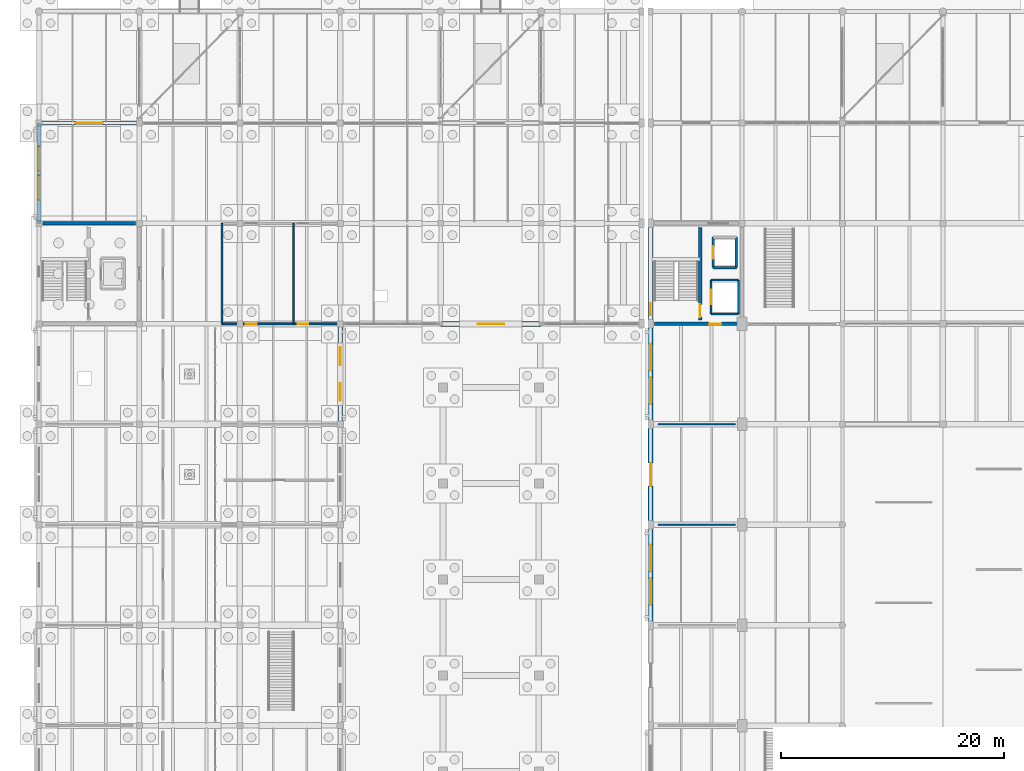
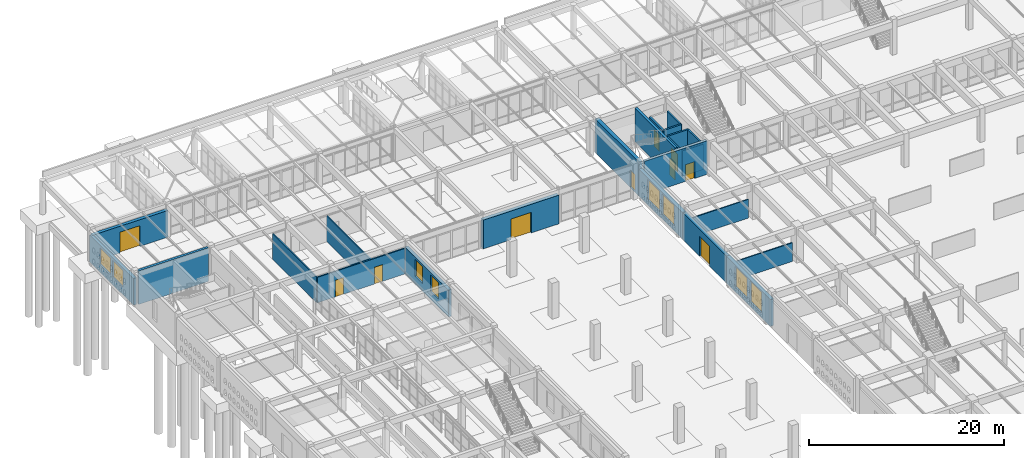
# One storey, part 164 of 186: 23 walls, 10 doors, 8 windows, 18 openings.
"""IFC4 building model written with IfcOpenShell, lengths in metres."""

from ifc_helpers import new_model, si_unit, direction, frame, frame_2d, origin, place, context, subcontext, project, spatial, rectangle, extrude, material, layer, layer_set, type_object, element, fill, save


model = new_model("IFC4")

# Units and contexts
model_context = context("Model", 3, precision=1e-05, world=origin(), true_north=direction((0.0, 1.0)))
body_context = subcontext(model_context, "Body", "Model", "MODEL_VIEW")
ifc_project = project(units=[si_unit("LENGTHUNIT", "METRE"), si_unit("AREAUNIT", "SQUARE_METRE"), si_unit("VOLUMEUNIT", "CUBIC_METRE"), si_unit("PLANEANGLEUNIT", "RADIAN"), si_unit("MASSUNIT", "GRAM", prefix="KILO")], contexts=[model_context])

# Site, building, storey
site_placement = place(None, origin())
site = spatial("IfcSite", under=ifc_project, at=site_placement, CompositionType="ELEMENT")
building_placement = place(site_placement, origin())
building = spatial("IfcBuilding", under=site, at=building_placement, Name="Ornek Quay Market", CompositionType="ELEMENT")
storey_placement = place(building_placement, origin())
storey = spatial("IfcBuildingStorey", under=building, at=storey_placement, Name="L00", CompositionType="ELEMENT", Elevation=0.0)

# Wall
ifc_material_1 = material(Name="Concrete C40/50", Category="concrete")
ifc_layer_1 = layer(ifc_material_1, 0.300048828125, Name="Concrete C40/50", Category="concrete")
ifc_layer_set_1 = layer_set([ifc_layer_1], Name="Concrete C40/50")
wall_type_1 = type_object("IfcWallType", Name="WL-CORE-300", PredefinedType="SHEAR", material=ifc_layer_set_1)
wall_1_placement = place(storey_placement, frame((0.35009765625, 101.0, 0.0), z_axis=(0.0, 0.0, 1.0), x_axis=(1.0, 0.0, 0.0)))
element("IfcWall", 1, at=wall_1_placement, inside=storey, type_object=wall_type_1, Name="Interior wall W-CORE1-004", PredefinedType="SHEAR", context=body_context, shape_type="SweptSolid", body=[
    extrude(rectangle(XDim=8.2998046875, YDim=0.300048828125, at=frame_2d((4.14990234375, 0.0))), origin(), (0.0, 0.0, 1.0), 4.219970703125),
])

# Wall, opening, door
wall_2_placement = place(storey_placement, frame((59.25, 92.35009765625, 0.0), z_axis=(0.0, 0.0, 1.0), x_axis=(0.0, 1.0, 0.0)))
wall_2 = element("IfcWall", 2, at=wall_2_placement, inside=storey, type_object=wall_type_1, Name="Interior wall W-CORE1-038", PredefinedType="SHEAR", context=body_context, shape_type="SweptSolid", body=[
    extrude(rectangle(XDim=8.2998046875, YDim=0.300048828125, at=frame_2d((4.14990234375, 0.0))), origin(), (0.0, 0.0, 1.0), 4.219970703125),
])
opening_1_placement = place(wall_2_placement, frame((0.25, 0.0, 0.0)))
opening_1 = element("IfcOpeningElement", 3, at=opening_1_placement, cuts=wall_2, Name="Opening FD-03-017", PredefinedType="OPENING", context=body_context, shape_type="SweptSolid", body=[
    extrude(rectangle(XDim=1.14990234375, YDim=2.14990234375, at=frame_2d((0.574951171875, 1.074951171875))), frame((0.0, 0.159912109375, 0.0), z_axis=(0.0, -1.0, 0.0), x_axis=(1.0, 0.0, 0.0)), (0.0, 0.0, 1.0), 0.320068359375),
])
ifc_material_2 = material(Name="Insulated fire-rated painted steel", Category="steel")
door_type_1 = type_object("IfcDoorType", Name="DR-FIRE-STAIR-1150x2150", OperationType="NOTDEFINED", PredefinedType="DOOR", material=ifc_material_2)
door_1_placement = place(opening_1_placement, origin())
door_1 = element("IfcDoor", 4, at=door_1_placement, inside=storey, type_object=door_type_1, Name="Interior door FD-03-017", OperationType="SINGLE_SWING_RIGHT", OverallHeight=2.14990234375, OverallWidth=1.14990234375, PredefinedType="DOOR", context=body_context, shape_type="SweptSolid", body=[
    extrude(rectangle(XDim=1.14990234375, YDim=2.14990234375, at=frame_2d((0.574951171875, 1.074951171875))), frame((0.0, 0.02490234375, 0.0), z_axis=(0.0, -1.0, 0.0), x_axis=(1.0, 0.0, 0.0)), (0.0, 0.0, 1.0), 0.050048828125),
])
fill(opening_1, door_1)

wall_3_placement = place(storey_placement, frame((55.14990234375, 92.0, 0.0), z_axis=(0.0, 0.0, 1.0), x_axis=(1.0, 0.0, 0.0)))
wall_3 = element("IfcWall", 5, at=wall_3_placement, inside=storey, type_object=wall_type_1, Name="Interior wall W-CORE1-040", PredefinedType="SHEAR", context=body_context, shape_type="SweptSolid", body=[
    extrude(rectangle(XDim=7.5, YDim=0.300048828125, at=frame_2d((3.75, 0.0))), origin(), (0.0, 0.0, 1.0), 4.219970703125),
])
opening_2_placement = place(wall_3_placement, frame((4.89990234375, 0.0, 0.0)))
opening_2 = element("IfcOpeningElement", 6, at=opening_2_placement, cuts=wall_3, Name="Opening FD-04-018", PredefinedType="OPENING", context=body_context, shape_type="SweptSolid", body=[
    extrude(rectangle(XDim=1.10009765625, YDim=2.10009765625, at=frame_2d((0.550048828125, 1.050048828125))), frame((0.0, 0.159912109375, 0.0), z_axis=(0.0, -1.0, 0.0), x_axis=(1.0, 0.0, 0.0)), (0.0, 0.0, 1.0), 0.320068359375),
])
door_type_2 = type_object("IfcDoorType", Name="DR-FIRE-LOBBY-1100x2100", OperationType="NOTDEFINED", PredefinedType="DOOR", material=ifc_material_2)
door_2_placement = place(opening_2_placement, origin())
door_2 = element("IfcDoor", 7, at=door_2_placement, inside=storey, type_object=door_type_2, Name="Interior door FD-04-018", OperationType="SINGLE_SWING_LEFT", OverallHeight=2.10009765625, OverallWidth=1.10009765625, PredefinedType="DOOR", context=body_context, shape_type="SweptSolid", body=[
    extrude(rectangle(XDim=1.10009765625, YDim=2.10009765625, at=frame_2d((0.550048828125, 1.050048828125))), frame((0.0, 0.02490234375, 0.0), z_axis=(0.0, -1.0, 0.0), x_axis=(1.0, 0.0, 0.0)), (0.0, 0.0, 1.0), 0.050048828125),
])
fill(opening_2, door_2)

ifc_material_3 = material(Name="Frost-resistant facing clay brick M200 F100", Category="masonry")
ifc_layer_2 = layer(ifc_material_3, 0.419921875, Name="Frost-resistant facing clay brick M200 F100", Category="masonry")
ifc_layer_set_2 = layer_set([ifc_layer_2], Name="Frost-resistant facing clay brick M200 F100")
wall_type_2 = type_object("IfcWallType", Name="WL-EXT-HALL-420", PredefinedType="STANDARD", material=ifc_layer_set_2)
wall_4_placement = place(storey_placement, frame((54.800048828125, 92.0, 0.0), z_axis=(0.0, 0.0, 1.0), x_axis=(0.0, 1.0, 0.0)))
wall_4 = element("IfcWall", 8, at=wall_4_placement, inside=storey, type_object=wall_type_2, Name="Exterior wall EW-110", PredefinedType="STANDARD", context=body_context, shape_type="SweptSolid", body=[
    extrude(rectangle(XDim=9.0, YDim=0.419921875, at=frame_2d((4.5, 0.0))), origin(), (0.0, 0.0, 1.0), 4.239990234375),
])
opening_3_placement = place(wall_4_placement, frame((0.75, 0.0, 0.0)))
opening_3 = element("IfcOpeningElement", 9, at=opening_3_placement, cuts=wall_4, Name="Opening ED-05-028", PredefinedType="OPENING", context=body_context, shape_type="SweptSolid", body=[
    extrude(rectangle(XDim=1.10009765625, YDim=2.199951171875, at=frame_2d((0.550048828125, 1.10009765625))), frame((0.0, 0.219970703125, 0.0), z_axis=(0.0, -1.0, 0.0), x_axis=(1.0, 0.0, 0.0)), (0.0, 0.0, 1.0), 0.43994140625),
])
ifc_material_4 = material(Name="Insulated painted steel", Category="steel")
door_type_3 = type_object("IfcDoorType", Name="DR-EXT-SGL-1100x2200", OperationType="NOTDEFINED", PredefinedType="DOOR", material=ifc_material_4)
door_3_placement = place(opening_3_placement, origin())
door_3 = element("IfcDoor", 10, at=door_3_placement, inside=storey, type_object=door_type_3, Name="Exterior door ED-05-028", OperationType="SINGLE_SWING_LEFT", OverallHeight=2.199951171875, OverallWidth=1.10009765625, PredefinedType="DOOR", context=body_context, shape_type="SweptSolid", body=[
    extrude(rectangle(XDim=1.10009765625, YDim=2.199951171875, at=frame_2d((0.550048828125, 1.10009765625))), frame((0.0, 0.02490234375, 0.0), z_axis=(0.0, -1.0, 0.0), x_axis=(1.0, 0.0, 0.0)), (0.0, 0.0, 1.0), 0.050048828125),
])
fill(opening_3, door_3)

# Wall, openings, windows
wall_5_placement = place(storey_placement, frame((54.800048828125, 65.0, 0.0), z_axis=(0.0, 0.0, 1.0), x_axis=(0.0, 1.0, 0.0)))
wall_5 = element("IfcWall", 11, at=wall_5_placement, inside=storey, type_object=wall_type_2, Name="Exterior wall EW-117", PredefinedType="STANDARD", context=body_context, shape_type="SweptSolid", body=[
    extrude(rectangle(XDim=9.0, YDim=0.419921875, at=frame_2d((4.5, 0.0))), origin(), (0.0, 0.0, 1.0), 3.3701171875),
])
opening_4_placement = place(wall_5_placement, frame((1.800048828125, 0.0, 0.590087890625)))
opening_4 = element("IfcOpeningElement", 12, at=opening_4_placement, cuts=wall_5, Name="Opening W-01-076", PredefinedType="OPENING", context=body_context, shape_type="SweptSolid", body=[
    extrude(rectangle(XDim=2.39990234375, YDim=2.60009765625, at=frame_2d((1.199951171875, 1.300048828125))), frame((0.0, 0.219970703125, 0.0), z_axis=(0.0, -1.0, 0.0), x_axis=(1.0, 0.0, 0.0)), (0.0, 0.0, 1.0), 0.43994140625),
])
opening_5_placement = place(wall_5_placement, frame((4.800048828125, 0.0, 0.590087890625)))
opening_5 = element("IfcOpeningElement", 13, at=opening_5_placement, cuts=wall_5, Name="Opening W-01-077", PredefinedType="OPENING", context=body_context, shape_type="SweptSolid", body=[
    extrude(rectangle(XDim=2.39990234375, YDim=2.60009765625, at=frame_2d((1.199951171875, 1.300048828125))), frame((0.0, 0.219970703125, 0.0), z_axis=(0.0, -1.0, 0.0), x_axis=(1.0, 0.0, 0.0)), (0.0, 0.0, 1.0), 0.43994140625),
])
ifc_material_5 = material(Name="Thermally broken bronze aluminium and triple low-e glass", Category="aluminium")
window_type_1 = type_object("IfcWindowType", Name="WN-HALL-2400x2600", PartitioningType="DOUBLE_PANEL_VERTICAL", PredefinedType="WINDOW", material=ifc_material_5)
window_1_placement = place(opening_4_placement, origin())
window_1 = element("IfcWindow", 14, at=window_1_placement, inside=storey, type_object=window_type_1, Name="Window W-01-076", OverallHeight=2.60009765625, OverallWidth=2.39990234375, PartitioningType="SINGLE_PANEL", PredefinedType="WINDOW", context=body_context, shape_type="SweptSolid", body=[
    extrude(rectangle(XDim=2.39990234375, YDim=2.60009765625, at=frame_2d((1.199951171875, 1.300048828125))), frame((0.0, 0.030029296875, 0.0), z_axis=(0.0, -1.0, 0.0), x_axis=(1.0, 0.0, 0.0)), (0.0, 0.0, 1.0), 0.06005859375),
])
fill(opening_4, window_1)
window_2_placement = place(opening_5_placement, origin())
window_2 = element("IfcWindow", 15, at=window_2_placement, inside=storey, type_object=window_type_1, Name="Window W-01-077", OverallHeight=2.60009765625, OverallWidth=2.39990234375, PartitioningType="SINGLE_PANEL", PredefinedType="WINDOW", context=body_context, shape_type="SweptSolid", body=[
    extrude(rectangle(XDim=2.39990234375, YDim=2.60009765625, at=frame_2d((1.199951171875, 1.300048828125))), frame((0.0, 0.030029296875, 0.0), z_axis=(0.0, -1.0, 0.0), x_axis=(1.0, 0.0, 0.0)), (0.0, 0.0, 1.0), 0.06005859375),
])
fill(opening_5, window_2)

# Wall, opening, door
wall_6_placement = place(storey_placement, frame((54.800048828125, 74.0, 0.0), z_axis=(0.0, 0.0, 1.0), x_axis=(0.0, 1.0, 0.0)))
wall_6 = element("IfcWall", 16, at=wall_6_placement, inside=storey, type_object=wall_type_2, Name="Exterior wall EW-118", PredefinedType="STANDARD", context=body_context, shape_type="SweptSolid", body=[
    extrude(rectangle(XDim=9.0, YDim=0.419921875, at=frame_2d((4.5, 0.0))), origin(), (0.0, 0.0, 1.0), 3.3701171875),
])
opening_6_placement = place(wall_6_placement, frame((3.449951171875, 0.0, 0.0)))
opening_6 = element("IfcOpeningElement", 17, at=opening_6_placement, cuts=wall_6, Name="Opening ED-02-031", PredefinedType="OPENING", context=body_context, shape_type="SweptSolid", body=[
    extrude(rectangle(XDim=2.10009765625, YDim=2.5, at=frame_2d((1.050048828125, 1.25))), frame((0.0, 0.219970703125, 0.0), z_axis=(0.0, -1.0, 0.0), x_axis=(1.0, 0.0, 0.0)), (0.0, 0.0, 1.0), 0.43994140625),
])
ifc_material_6 = material(Name="Anodised bronze aluminium and triple glass", Category="aluminium")
door_type_4 = type_object("IfcDoorType", Name="DR-EXT-DBL-2100x2500", OperationType="DOUBLE_DOOR_SINGLE_SWING", PredefinedType="DOOR", material=ifc_material_6)
door_4_placement = place(opening_6_placement, origin())
door_4 = element("IfcDoor", 18, at=door_4_placement, inside=storey, type_object=door_type_4, Name="Exterior door ED-02-031", OperationType="DOUBLE_DOOR_SINGLE_SWING", OverallHeight=2.5, OverallWidth=2.10009765625, PredefinedType="DOOR", context=body_context, shape_type="SweptSolid", body=[
    extrude(rectangle(XDim=2.10009765625, YDim=2.5, at=frame_2d((1.050048828125, 1.25))), frame((0.0, 0.02490234375, 0.0), z_axis=(0.0, -1.0, 0.0), x_axis=(1.0, 0.0, 0.0)), (0.0, 0.0, 1.0), 0.050048828125),
])
fill(opening_6, door_4)

# Wall, openings, windows
wall_7_placement = place(storey_placement, frame((54.800048828125, 83.0, 0.0), z_axis=(0.0, 0.0, 1.0), x_axis=(0.0, 1.0, 0.0)))
wall_7 = element("IfcWall", 19, at=wall_7_placement, inside=storey, type_object=wall_type_2, Name="Exterior wall EW-119", PredefinedType="STANDARD", context=body_context, shape_type="SweptSolid", body=[
    extrude(rectangle(XDim=9.0, YDim=0.419921875, at=frame_2d((4.5, 0.0))), origin(), (0.0, 0.0, 1.0), 3.3701171875),
])
opening_7_placement = place(wall_7_placement, frame((1.800048828125, 0.0, 0.590087890625)))
opening_7 = element("IfcOpeningElement", 20, at=opening_7_placement, cuts=wall_7, Name="Opening W-01-078", PredefinedType="OPENING", context=body_context, shape_type="SweptSolid", body=[
    extrude(rectangle(XDim=2.39990234375, YDim=2.60009765625, at=frame_2d((1.199951171875, 1.300048828125))), frame((0.0, 0.219970703125, 0.0), z_axis=(0.0, -1.0, 0.0), x_axis=(1.0, 0.0, 0.0)), (0.0, 0.0, 1.0), 0.43994140625),
])
opening_8_placement = place(wall_7_placement, frame((4.800048828125, 0.0, 0.590087890625)))
opening_8 = element("IfcOpeningElement", 21, at=opening_8_placement, cuts=wall_7, Name="Opening W-01-079", PredefinedType="OPENING", context=body_context, shape_type="SweptSolid", body=[
    extrude(rectangle(XDim=2.39990234375, YDim=2.60009765625, at=frame_2d((1.199951171875, 1.300048828125))), frame((0.0, 0.219970703125, 0.0), z_axis=(0.0, -1.0, 0.0), x_axis=(1.0, 0.0, 0.0)), (0.0, 0.0, 1.0), 0.43994140625),
])
window_3_placement = place(opening_7_placement, origin())
window_3 = element("IfcWindow", 22, at=window_3_placement, inside=storey, type_object=window_type_1, Name="Window W-01-078", OverallHeight=2.60009765625, OverallWidth=2.39990234375, PartitioningType="SINGLE_PANEL", PredefinedType="WINDOW", context=body_context, shape_type="SweptSolid", body=[
    extrude(rectangle(XDim=2.39990234375, YDim=2.60009765625, at=frame_2d((1.199951171875, 1.300048828125))), frame((0.0, 0.030029296875, 0.0), z_axis=(0.0, -1.0, 0.0), x_axis=(1.0, 0.0, 0.0)), (0.0, 0.0, 1.0), 0.06005859375),
])
fill(opening_7, window_3)
window_4_placement = place(opening_8_placement, origin())
window_4 = element("IfcWindow", 23, at=window_4_placement, inside=storey, type_object=window_type_1, Name="Window W-01-079", OverallHeight=2.60009765625, OverallWidth=2.39990234375, PartitioningType="SINGLE_PANEL", PredefinedType="WINDOW", context=body_context, shape_type="SweptSolid", body=[
    extrude(rectangle(XDim=2.39990234375, YDim=2.60009765625, at=frame_2d((1.199951171875, 1.300048828125))), frame((0.0, 0.030029296875, 0.0), z_axis=(0.0, -1.0, 0.0), x_axis=(1.0, 0.0, 0.0)), (0.0, 0.0, 1.0), 0.06005859375),
])
fill(opening_8, window_4)

# Wall, opening, door
ifc_material_7 = material(Name="Granite-faced insulated concrete C35/45", Category="masonry")
ifc_layer_3 = layer(ifc_material_7, 0.43994140625, Name="Granite-faced insulated concrete C35/45", Category="masonry")
ifc_layer_set_3 = layer_set([ifc_layer_3], Name="Granite-faced insulated concrete C35/45")
wall_type_3 = type_object("IfcWallType", Name="WL-EXT-PLINTH-440", PredefinedType="STANDARD", material=ifc_layer_set_3)
wall_8_placement = place(storey_placement, frame((36.0, 92.0, 0.0), z_axis=(0.0, 0.0, 1.0), x_axis=(1.0, 0.0, 0.0)))
wall_8 = element("IfcWall", 24, at=wall_8_placement, inside=storey, type_object=wall_type_3, Name="Exterior wall EW-087", PredefinedType="STANDARD", context=body_context, shape_type="SweptSolid", body=[
    extrude(rectangle(XDim=9.0, YDim=0.43994140625, at=frame_2d((4.5, 0.0))), origin(), (0.0, 0.0, 1.0), 3.60009765625),
])
opening_9_placement = place(wall_8_placement, frame((3.300048828125, 0.0, 0.0)))
opening_9 = element("IfcOpeningElement", 25, at=opening_9_placement, cuts=wall_8, Name="Opening ED-01-012", PredefinedType="OPENING", context=body_context, shape_type="SweptSolid", body=[
    extrude(rectangle(XDim=2.39990234375, YDim=2.60009765625, at=frame_2d((1.199951171875, 1.300048828125))), frame((0.0, 0.22998046875, 0.0), z_axis=(0.0, -1.0, 0.0), x_axis=(1.0, 0.0, 0.0)), (0.0, 0.0, 1.0), 0.4599609375),
])
door_type_5 = type_object("IfcDoorType", Name="DR-EXT-DBL-2400x2600", OperationType="DOUBLE_DOOR_SINGLE_SWING", PredefinedType="DOOR", material=ifc_material_6)
door_5_placement = place(opening_9_placement, origin())
door_5 = element("IfcDoor", 26, at=door_5_placement, inside=storey, type_object=door_type_5, Name="Exterior door ED-01-012", OperationType="DOUBLE_DOOR_SINGLE_SWING", OverallHeight=2.60009765625, OverallWidth=2.39990234375, PredefinedType="DOOR", context=body_context, shape_type="SweptSolid", body=[
    extrude(rectangle(XDim=2.39990234375, YDim=2.60009765625, at=frame_2d((1.199951171875, 1.300048828125))), frame((0.0, 0.02490234375, 0.0), z_axis=(0.0, -1.0, 0.0), x_axis=(1.0, 0.0, 0.0)), (0.0, 0.0, 1.0), 0.050048828125),
])
fill(opening_9, door_5)

# Wall, openings, windows
ifc_layer_4 = layer(ifc_material_3, 0.3798828125, Name="Frost-resistant facing clay brick M200 F100", Category="masonry")
ifc_layer_set_4 = layer_set([ifc_layer_4], Name="Frost-resistant facing clay brick M200 F100")
wall_type_4 = type_object("IfcWallType", Name="WL-EXT-WING-380", PredefinedType="STANDARD", material=ifc_layer_set_4)
wall_9_placement = place(storey_placement, frame((0.0, 101.0, 0.0), z_axis=(0.0, 0.0, 1.0), x_axis=(0.0, 1.0, 0.0)))
wall_9 = element("IfcWall", 27, at=wall_9_placement, inside=storey, type_object=wall_type_4, Name="Exterior wall EW-048", PredefinedType="STANDARD", context=body_context, shape_type="SweptSolid", body=[
    extrude(rectangle(XDim=9.0, YDim=0.3798828125, at=frame_2d((4.5, 0.0))), origin(), (0.0, 0.0, 1.0), 3.35009765625),
])
opening_10_placement = place(wall_9_placement, frame((2.10009765625, 0.0, 0.949951171875)))
opening_10 = element("IfcOpeningElement", 28, at=opening_10_placement, cuts=wall_9, Name="Opening W-12-013", PredefinedType="OPENING", context=body_context, shape_type="SweptSolid", body=[
    extrude(rectangle(XDim=2.199951171875, YDim=2.10009765625, at=frame_2d((1.10009765625, 1.050048828125))), frame((0.0, 0.199951171875, 0.0), z_axis=(0.0, -1.0, 0.0), x_axis=(1.0, 0.0, 0.0)), (0.0, 0.0, 1.0), 0.39990234375),
])
opening_11_placement = place(wall_9_placement, frame((4.699951171875, 0.0, 0.949951171875)))
opening_11 = element("IfcOpeningElement", 29, at=opening_11_placement, cuts=wall_9, Name="Opening W-12-014", PredefinedType="OPENING", context=body_context, shape_type="SweptSolid", body=[
    extrude(rectangle(XDim=2.199951171875, YDim=2.10009765625, at=frame_2d((1.10009765625, 1.050048828125))), frame((0.0, 0.199951171875, 0.0), z_axis=(0.0, -1.0, 0.0), x_axis=(1.0, 0.0, 0.0)), (0.0, 0.0, 1.0), 0.39990234375),
])
window_type_2 = type_object("IfcWindowType", Name="WN-WW-2200x2100", PartitioningType="DOUBLE_PANEL_VERTICAL", PredefinedType="WINDOW", material=ifc_material_5)
window_5_placement = place(opening_10_placement, origin())
window_5 = element("IfcWindow", 30, at=window_5_placement, inside=storey, type_object=window_type_2, Name="Window W-12-013", OverallHeight=2.10009765625, OverallWidth=2.199951171875, PartitioningType="SINGLE_PANEL", PredefinedType="WINDOW", context=body_context, shape_type="SweptSolid", body=[
    extrude(rectangle(XDim=2.199951171875, YDim=2.10009765625, at=frame_2d((1.10009765625, 1.050048828125))), frame((0.0, 0.030029296875, 0.0), z_axis=(0.0, -1.0, 0.0), x_axis=(1.0, 0.0, 0.0)), (0.0, 0.0, 1.0), 0.06005859375),
])
fill(opening_10, window_5)
window_6_placement = place(opening_11_placement, origin())
window_6 = element("IfcWindow", 31, at=window_6_placement, inside=storey, type_object=window_type_2, Name="Window W-12-014", OverallHeight=2.10009765625, OverallWidth=2.199951171875, PartitioningType="SINGLE_PANEL", PredefinedType="WINDOW", context=body_context, shape_type="SweptSolid", body=[
    extrude(rectangle(XDim=2.199951171875, YDim=2.10009765625, at=frame_2d((1.10009765625, 1.050048828125))), frame((0.0, 0.030029296875, 0.0), z_axis=(0.0, -1.0, 0.0), x_axis=(1.0, 0.0, 0.0)), (0.0, 0.0, 1.0), 0.06005859375),
])
fill(opening_11, window_6)

wall_10_placement = place(storey_placement, frame((27.0, 83.0, 0.0), z_axis=(0.0, 0.0, 1.0), x_axis=(0.0, 1.0, 0.0)))
wall_10 = element("IfcWall", 32, at=wall_10_placement, inside=storey, type_object=wall_type_4, Name="Exterior wall EW-055", PredefinedType="STANDARD", context=body_context, shape_type="SweptSolid", body=[
    extrude(rectangle(XDim=9.0, YDim=0.3798828125, at=frame_2d((4.5, 0.0))), origin(), (0.0, 0.0, 1.0), 3.35009765625),
])
opening_12_placement = place(wall_10_placement, frame((2.10009765625, 0.0, 0.949951171875)))
opening_12 = element("IfcOpeningElement", 33, at=opening_12_placement, cuts=wall_10, Name="Opening W-13-023", PredefinedType="OPENING", context=body_context, shape_type="SweptSolid", body=[
    extrude(rectangle(XDim=1.60009765625, YDim=2.10009765625, at=frame_2d((0.800048828125, 1.050048828125))), frame((0.0, 0.199951171875, 0.0), z_axis=(0.0, -1.0, 0.0), x_axis=(1.0, 0.0, 0.0)), (0.0, 0.0, 1.0), 0.39990234375),
])
opening_13_placement = place(wall_10_placement, frame((5.300048828125, 0.0, 0.949951171875)))
opening_13 = element("IfcOpeningElement", 34, at=opening_13_placement, cuts=wall_10, Name="Opening W-13-024", PredefinedType="OPENING", context=body_context, shape_type="SweptSolid", body=[
    extrude(rectangle(XDim=1.60009765625, YDim=2.10009765625, at=frame_2d((0.800048828125, 1.050048828125))), frame((0.0, 0.199951171875, 0.0), z_axis=(0.0, -1.0, 0.0), x_axis=(1.0, 0.0, 0.0)), (0.0, 0.0, 1.0), 0.39990234375),
])
window_type_3 = type_object("IfcWindowType", Name="WN-WW-1600x2100", PartitioningType="DOUBLE_PANEL_VERTICAL", PredefinedType="WINDOW", material=ifc_material_5)
window_7_placement = place(opening_12_placement, origin())
window_7 = element("IfcWindow", 35, at=window_7_placement, inside=storey, type_object=window_type_3, Name="Window W-13-023", OverallHeight=2.10009765625, OverallWidth=1.60009765625, PartitioningType="SINGLE_PANEL", PredefinedType="WINDOW", context=body_context, shape_type="SweptSolid", body=[
    extrude(rectangle(XDim=1.60009765625, YDim=2.10009765625, at=frame_2d((0.800048828125, 1.050048828125))), frame((0.0, 0.030029296875, 0.0), z_axis=(0.0, -1.0, 0.0), x_axis=(1.0, 0.0, 0.0)), (0.0, 0.0, 1.0), 0.06005859375),
])
fill(opening_12, window_7)
window_8_placement = place(opening_13_placement, origin())
window_8 = element("IfcWindow", 36, at=window_8_placement, inside=storey, type_object=window_type_3, Name="Window W-13-024", OverallHeight=2.10009765625, OverallWidth=1.60009765625, PartitioningType="SINGLE_PANEL", PredefinedType="WINDOW", context=body_context, shape_type="SweptSolid", body=[
    extrude(rectangle(XDim=1.60009765625, YDim=2.10009765625, at=frame_2d((0.800048828125, 1.050048828125))), frame((0.0, 0.030029296875, 0.0), z_axis=(0.0, -1.0, 0.0), x_axis=(1.0, 0.0, 0.0)), (0.0, 0.0, 1.0), 0.06005859375),
])
fill(opening_13, window_8)

# Wall, opening, door
wall_11_placement = place(storey_placement, frame((0.0, 110.0, 0.0), z_axis=(0.0, 0.0, 1.0), x_axis=(1.0, 0.0, 0.0)))
wall_11 = element("IfcWall", 37, at=wall_11_placement, inside=storey, type_object=wall_type_4, Name="Exterior wall EW-059", PredefinedType="STANDARD", context=body_context, shape_type="SweptSolid", body=[
    extrude(rectangle(XDim=9.0, YDim=0.3798828125, at=frame_2d((4.5, 0.0))), origin(), (0.0, 0.0, 1.0), 3.35009765625),
])
opening_14_placement = place(wall_11_placement, frame((3.300048828125, 0.0, 0.0)))
opening_14 = element("IfcOpeningElement", 38, at=opening_14_placement, cuts=wall_11, Name="Opening ED-01-008", PredefinedType="OPENING", context=body_context, shape_type="SweptSolid", body=[
    extrude(rectangle(XDim=2.39990234375, YDim=2.60009765625, at=frame_2d((1.199951171875, 1.300048828125))), frame((0.0, 0.199951171875, 0.0), z_axis=(0.0, -1.0, 0.0), x_axis=(1.0, 0.0, 0.0)), (0.0, 0.0, 1.0), 0.39990234375),
])
door_6_placement = place(opening_14_placement, origin())
door_6 = element("IfcDoor", 39, at=door_6_placement, inside=storey, type_object=door_type_5, Name="Exterior door ED-01-008", OperationType="DOUBLE_DOOR_SINGLE_SWING", OverallHeight=2.60009765625, OverallWidth=2.39990234375, PredefinedType="DOOR", context=body_context, shape_type="SweptSolid", body=[
    extrude(rectangle(XDim=2.39990234375, YDim=2.60009765625, at=frame_2d((1.199951171875, 1.300048828125))), frame((0.0, 0.02490234375, 0.0), z_axis=(0.0, -1.0, 0.0), x_axis=(1.0, 0.0, 0.0)), (0.0, 0.0, 1.0), 0.050048828125),
])
fill(opening_14, door_6)

# Wall, openings, doors
ifc_material_8 = material(Name="Ceramic-tiled masonry partition", Category="masonry")
ifc_layer_5 = layer(ifc_material_8, 0.159912109375, Name="Ceramic-tiled masonry partition", Category="masonry")
ifc_layer_set_5 = layer_set([ifc_layer_5], Name="Ceramic-tiled masonry partition")
wall_type_5 = type_object("IfcWallType", Name="WL-KIT-160", PredefinedType="PARTITIONING", material=ifc_layer_set_5)
wall_12_placement = place(storey_placement, frame((16.39990234375, 92.0, 0.0), z_axis=(0.0, 0.0, 1.0), x_axis=(1.0, 0.0, 0.0)))
wall_12 = element("IfcWall", 40, at=wall_12_placement, inside=storey, type_object=wall_type_5, Name="Interior wall W-INT2-244", PredefinedType="PARTITIONING", context=body_context, shape_type="SweptSolid", body=[
    extrude(rectangle(XDim=10.400146484375, YDim=0.159912109375, at=frame_2d((5.2001953125, 0.0))), origin(), (0.0, 0.0, 1.0), 3.199951171875),
])
opening_15_placement = place(wall_12_placement, frame((2.14990234375, 0.0, 0.0)))
opening_15 = element("IfcOpeningElement", 41, at=opening_15_placement, cuts=wall_12, Name="Opening ID-04-107", PredefinedType="OPENING", context=body_context, shape_type="SweptSolid", body=[
    extrude(rectangle(XDim=0.949951171875, YDim=2.10009765625, at=frame_2d((0.47509765625, 1.050048828125))), frame((0.0, 0.08984375, 0.0), z_axis=(0.0, -1.0, 0.0), x_axis=(1.0, 0.0, 0.0)), (0.0, 0.0, 1.0), 0.179931640625),
])
opening_16_placement = place(wall_12_placement, frame((6.800048828125, 0.0, 0.0)))
opening_16 = element("IfcOpeningElement", 42, at=opening_16_placement, cuts=wall_12, Name="Opening ID-04-108", PredefinedType="OPENING", context=body_context, shape_type="SweptSolid", body=[
    extrude(rectangle(XDim=0.949951171875, YDim=2.10009765625, at=frame_2d((0.47509765625, 1.050048828125))), frame((0.0, 0.08984375, 0.0), z_axis=(0.0, -1.0, 0.0), x_axis=(1.0, 0.0, 0.0)), (0.0, 0.0, 1.0), 0.179931640625),
])
ifc_material_9 = material(Name="Moisture-resistant laminate door", Category="other")
door_type_6 = type_object("IfcDoorType", Name="DR-INT-WC-950x2100", OperationType="NOTDEFINED", PredefinedType="DOOR", material=ifc_material_9)
door_7_placement = place(opening_15_placement, origin())
door_7 = element("IfcDoor", 43, at=door_7_placement, inside=storey, type_object=door_type_6, Name="Interior door ID-04-107", OperationType="SINGLE_SWING_RIGHT", OverallHeight=2.10009765625, OverallWidth=0.949951171875, PredefinedType="DOOR", context=body_context, shape_type="SweptSolid", body=[
    extrude(rectangle(XDim=0.949951171875, YDim=2.10009765625, at=frame_2d((0.47509765625, 1.050048828125))), frame((0.0, 0.02490234375, 0.0), z_axis=(0.0, -1.0, 0.0), x_axis=(1.0, 0.0, 0.0)), (0.0, 0.0, 1.0), 0.050048828125),
])
fill(opening_15, door_7)
door_8_placement = place(opening_16_placement, origin())
door_8 = element("IfcDoor", 44, at=door_8_placement, inside=storey, type_object=door_type_6, Name="Interior door ID-04-108", OperationType="SINGLE_SWING_LEFT", OverallHeight=2.10009765625, OverallWidth=0.949951171875, PredefinedType="DOOR", context=body_context, shape_type="SweptSolid", body=[
    extrude(rectangle(XDim=0.949951171875, YDim=2.10009765625, at=frame_2d((0.47509765625, 1.050048828125))), frame((0.0, 0.02490234375, 0.0), z_axis=(0.0, -1.0, 0.0), x_axis=(1.0, 0.0, 0.0)), (0.0, 0.0, 1.0), 0.050048828125),
])
fill(opening_16, door_8)

# Wall, opening, door
ifc_material_10 = material(Name="Concrete C35/45", Category="concrete")
ifc_layer_6 = layer(ifc_material_10, 0.199951171875, Name="Concrete C35/45", Category="concrete")
ifc_layer_set_6 = layer_set([ifc_layer_6], Name="Concrete C35/45")
wall_type_6 = type_object("IfcWallType", Name="WL-SHAFT-200", PredefinedType="SOLIDWALL", material=ifc_layer_set_6)
wall_13_placement = place(storey_placement, frame((60.2099609375, 92.8798828125, 0.0), z_axis=(0.0, 0.0, 1.0), x_axis=(0.0, 1.0, 0.0)))
wall_13 = element("IfcWall", 45, at=wall_13_placement, inside=storey, type_object=wall_type_6, Name="Interior wall W-CORE3-042", PredefinedType="SOLIDWALL", context=body_context, shape_type="SweptSolid", body=[
    extrude(rectangle(XDim=3.0400390625, YDim=0.199951171875, at=frame_2d((1.52001953125, 0.0))), origin(), (0.0, 0.0, 1.0), 3.199951171875),
])
opening_17_placement = place(wall_13_placement, frame((0.8701171875, 0.0, 0.0)))
opening_17 = element("IfcOpeningElement", 46, at=opening_17_placement, cuts=wall_13, Name="Opening LD-02-020", PredefinedType="OPENING", context=body_context, shape_type="SweptSolid", body=[
    extrude(rectangle(XDim=1.300048828125, YDim=2.199951171875, at=frame_2d((0.64990234375, 1.10009765625))), frame((0.0, 0.10986328125, 0.0), z_axis=(0.0, -1.0, 0.0), x_axis=(1.0, 0.0, 0.0)), (0.0, 0.0, 1.0), 0.219970703125),
])
ifc_material_11 = material(Name="Brushed stainless steel goods lift door", Category="steel")
door_type_7 = type_object("IfcDoorType", Name="DR-LIFT-1300x2200", OperationType="DOUBLE_DOOR_SLIDING", PredefinedType="DOOR", material=ifc_material_11)
door_9_placement = place(opening_17_placement, origin())
door_9 = element("IfcDoor", 47, at=door_9_placement, inside=storey, type_object=door_type_7, Name="Interior door LD-02-020", OperationType="DOUBLE_DOOR_SLIDING", OverallHeight=2.199951171875, OverallWidth=1.300048828125, PredefinedType="DOOR", context=body_context, shape_type="SweptSolid", body=[
    extrude(rectangle(XDim=1.300048828125, YDim=2.199951171875, at=frame_2d((0.64990234375, 1.10009765625))), frame((0.0, 0.02490234375, 0.0), z_axis=(0.0, -1.0, 0.0), x_axis=(1.0, 0.0, 0.0)), (0.0, 0.0, 1.0), 0.050048828125),
])
fill(opening_17, door_9)

# Walls
for number, where, z_axis, x_axis, name in (
    (48, (60.2099609375, 92.8798828125, 0.0), (0.0, 0.0, 1.0), (1.0, 0.0, 0.0), "Interior wall W-CORE3-043"),
    (49, (60.2099609375, 95.919921875, 0.0), (0.0, 0.0, 1.0), (1.0, 0.0, 0.0), "Interior wall W-CORE3-044"),
):
    element("IfcWall", number, at=place(storey_placement, frame(where, z_axis=z_axis, x_axis=x_axis)), inside=storey, type_object=wall_type_6, Name=name, PredefinedType="SOLIDWALL", context=body_context, shape_type="SweptSolid", body=[
        extrude(rectangle(XDim=2.47998046875, YDim=0.199951171875, at=frame_2d((1.239990234375, 0.0))), origin(), (0.0, 0.0, 1.0), 3.199951171875),
    ])
wall_14_placement = place(storey_placement, frame((62.68994140625, 92.8798828125, 0.0), z_axis=(0.0, 0.0, 1.0), x_axis=(0.0, 1.0, 0.0)))
element("IfcWall", 50, at=wall_14_placement, inside=storey, type_object=wall_type_6, Name="Interior wall W-CORE3-045", PredefinedType="SOLIDWALL", context=body_context, shape_type="SweptSolid", body=[
    extrude(rectangle(XDim=3.0400390625, YDim=0.199951171875, at=frame_2d((1.52001953125, 0.0))), origin(), (0.0, 0.0, 1.0), 3.199951171875),
])

# Wall, opening, door
wall_15_placement = place(storey_placement, frame((60.409912109375, 97.030029296875, 0.0), z_axis=(0.0, 0.0, 1.0), x_axis=(0.0, 1.0, 0.0)))
wall_15 = element("IfcWall", 51, at=wall_15_placement, inside=storey, type_object=wall_type_6, Name="Interior wall W-CORE3-046", PredefinedType="SOLIDWALL", context=body_context, shape_type="SweptSolid", body=[
    extrude(rectangle(XDim=2.739990234375, YDim=0.199951171875, at=frame_2d((1.3701171875, 0.0))), origin(), (0.0, 0.0, 1.0), 3.199951171875),
])
opening_18_placement = place(wall_15_placement, frame((0.820068359375, 0.0, 0.0)))
opening_18 = element("IfcOpeningElement", 52, at=opening_18_placement, cuts=wall_15, Name="Opening LD-01-021", PredefinedType="OPENING", context=body_context, shape_type="SweptSolid", body=[
    extrude(rectangle(XDim=1.10009765625, YDim=2.10009765625, at=frame_2d((0.550048828125, 1.050048828125))), frame((0.0, 0.10986328125, 0.0), z_axis=(0.0, -1.0, 0.0), x_axis=(1.0, 0.0, 0.0)), (0.0, 0.0, 1.0), 0.219970703125),
])
ifc_material_12 = material(Name="Brushed stainless steel landing door", Category="steel")
door_type_8 = type_object("IfcDoorType", Name="DR-LIFT-1100x2100", OperationType="SLIDING_TO_LEFT", PredefinedType="DOOR", material=ifc_material_12)
door_10_placement = place(opening_18_placement, origin())
door_10 = element("IfcDoor", 53, at=door_10_placement, inside=storey, type_object=door_type_8, Name="Interior door LD-01-021", OperationType="SLIDING_TO_LEFT", OverallHeight=2.10009765625, OverallWidth=1.10009765625, PredefinedType="DOOR", context=body_context, shape_type="SweptSolid", body=[
    extrude(rectangle(XDim=1.10009765625, YDim=2.10009765625, at=frame_2d((0.550048828125, 1.050048828125))), frame((0.0, 0.02490234375, 0.0), z_axis=(0.0, -1.0, 0.0), x_axis=(1.0, 0.0, 0.0)), (0.0, 0.0, 1.0), 0.050048828125),
])
fill(opening_18, door_10)

# Walls
wall_16_placement = place(storey_placement, frame((60.409912109375, 97.030029296875, 0.0), z_axis=(0.0, 0.0, 1.0), x_axis=(1.0, 0.0, 0.0)))
element("IfcWall", 54, at=wall_16_placement, inside=storey, type_object=wall_type_6, Name="Interior wall W-CORE3-047", PredefinedType="SOLIDWALL", context=body_context, shape_type="SweptSolid", body=[
    extrude(rectangle(XDim=2.080078125, YDim=0.199951171875, at=frame_2d((1.0400390625, 0.0))), origin(), (0.0, 0.0, 1.0), 3.199951171875),
])
wall_17_placement = place(storey_placement, frame((62.489990234375, 97.030029296875, 0.0), z_axis=(0.0, 0.0, 1.0), x_axis=(0.0, 1.0, 0.0)))
element("IfcWall", 55, at=wall_17_placement, inside=storey, type_object=wall_type_6, Name="Interior wall W-CORE3-049", PredefinedType="SOLIDWALL", context=body_context, shape_type="SweptSolid", body=[
    extrude(rectangle(XDim=2.739990234375, YDim=0.199951171875, at=frame_2d((1.3701171875, 0.0))), origin(), (0.0, 0.0, 1.0), 3.199951171875),
])
ifc_material_13 = material(Name="Fair-faced brick stall divider wall", Category="masonry")
ifc_layer_7 = layer(ifc_material_13, 0.114990234375, Name="Fair-faced brick stall divider wall", Category="masonry")
ifc_layer_set_7 = layer_set([ifc_layer_7], Name="Fair-faced brick stall divider wall")
wall_type_7 = type_object("IfcWallType", Name="WL-STALL-115", PredefinedType="PARTITIONING", material=ifc_layer_set_7)
for number, where, z_axis, x_axis, name in (
    (56, (55.5, 74.0, 0.0), (0.0, 0.0, 1.0), (1.0, 0.0, 0.0), "Interior wall W-STL1-288"),
    (57, (55.5, 83.0, 0.0), (0.0, 0.0, 1.0), (1.0, 0.0, 0.0), "Interior wall W-STL1-292"),
):
    element("IfcWall", number, at=place(storey_placement, frame(where, z_axis=z_axis, x_axis=x_axis)), inside=storey, type_object=wall_type_7, Name=name, PredefinedType="PARTITIONING", context=body_context, shape_type="SweptSolid", body=[
        extrude(rectangle(XDim=6.89990234375, YDim=0.114990234375, at=frame_2d((3.449951171875, 0.0))), origin(), (0.0, 0.0, 1.0), 2.35009765625),
    ])
ifc_material_14 = material(Name="Moisture-resistant masonry partition", Category="masonry")
ifc_layer_8 = layer(ifc_material_14, 0.139892578125, Name="Moisture-resistant masonry partition", Category="masonry")
ifc_layer_set_8 = layer_set([ifc_layer_8], Name="Moisture-resistant masonry partition")
wall_type_8 = type_object("IfcWallType", Name="WL-WC-140", PredefinedType="PARTITIONING", material=ifc_layer_set_8)
for number, where, z_axis, x_axis, name in (
    (58, (16.39990234375, 92.0, 0.0), (0.0, 0.0, 1.0), (0.0, 1.0, 0.0), "Interior wall W-INT4-381"),
    (59, (22.800048828125, 92.0, 0.0), (0.0, 0.0, 1.0), (0.0, 1.0, 0.0), "Interior wall W-INT4-382"),
):
    element("IfcWall", number, at=place(storey_placement, frame(where, z_axis=z_axis, x_axis=x_axis)), inside=storey, type_object=wall_type_8, Name=name, PredefinedType="PARTITIONING", context=body_context, shape_type="SweptSolid", body=[
        extrude(rectangle(XDim=9.0, YDim=0.139892578125, at=frame_2d((4.5, 0.0))), origin(), (0.0, 0.0, 1.0), 3.199951171875),
    ])

save(model, "model.ifc")
